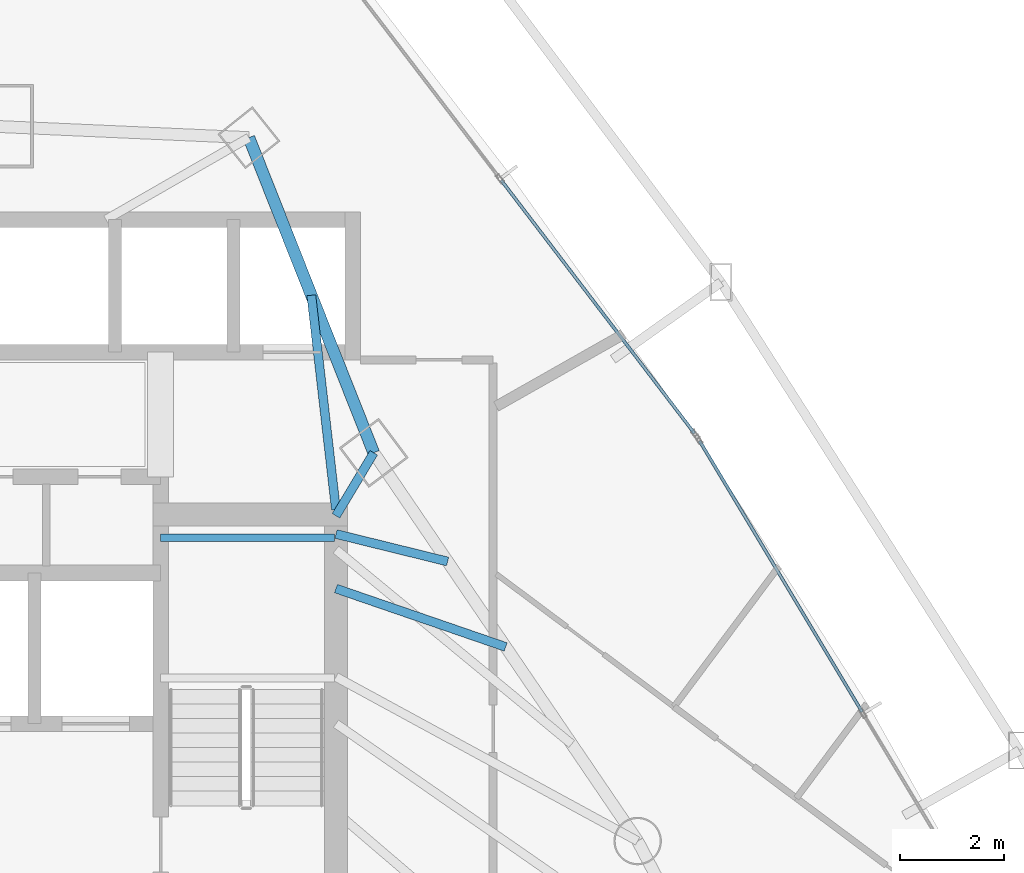
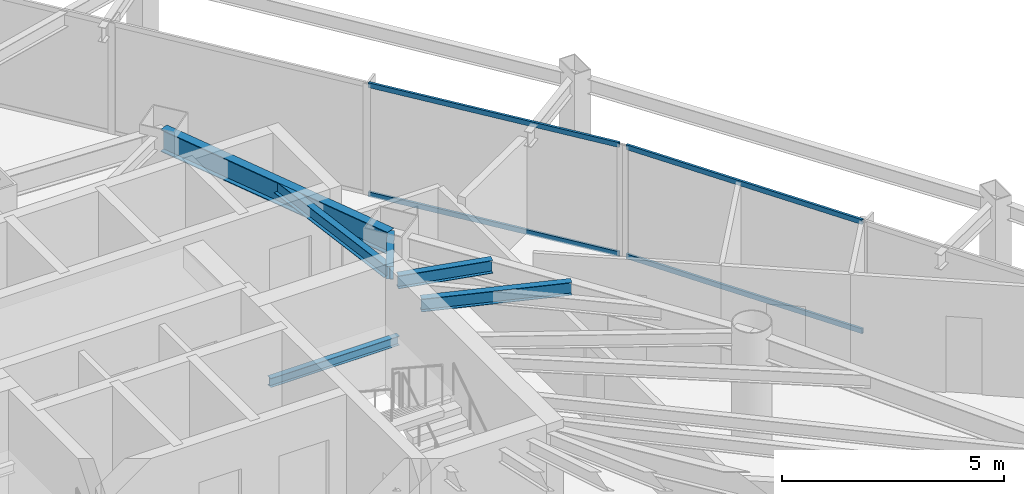
# One storey, part 25 of 34: 6 beams, 4 members, 2 elements without a shape of their own.
"""IFC4 building model written with IfcOpenShell, lengths in metres."""

from ifc_helpers import new_model, si_unit, direction, frame, origin, origin_2d, place, context, subcontext, project, spatial, hollow_rectangle, i_section, extrude, material, layer, layer_set, material_profile, profile_set, type_object, element, aggregate, save


model = new_model("IFC4")

# Units and contexts
model_context = context("Model", 3, precision=1e-05, world=origin(), true_north=direction((0.0, 1.0)))
body_context = subcontext(model_context, "Body", "Model", "MODEL_VIEW")
ifc_project = project(units=[si_unit("LENGTHUNIT", "METRE"), si_unit("AREAUNIT", "SQUARE_METRE"), si_unit("VOLUMEUNIT", "CUBIC_METRE"), si_unit("PLANEANGLEUNIT", "RADIAN"), si_unit("MASSUNIT", "GRAM", prefix="KILO")], contexts=[model_context])

# Site, building, storey
site_placement = place(None, origin())
site = spatial("IfcSite", under=ifc_project, at=site_placement, CompositionType="ELEMENT")
building_placement = place(site_placement, origin())
building = spatial("IfcBuilding", under=site, at=building_placement, Name="Orvanel Arch Residences", CompositionType="ELEMENT")
storey_placement = place(building_placement, frame((0.0, 0.0, 67.550048828125)))
storey = spatial("IfcBuildingStorey", under=building, at=storey_placement, Name="L18", CompositionType="ELEMENT", Elevation=67.550048828125)

# Beams
ifc_material_1 = material(Name="Structural steel AS/NZS 3679.1 Grade 300 (300 MPa)", Category="steel")
ifc_material_profile_1 = material_profile(ifc_material_1, i_section(OverallWidth=0.14599609375, OverallDepth=0.251953125, WebThickness=0.006103515625, FlangeThickness=0.008544921875, at=origin_2d()), Name="250UB31.4")
ifc_profile_set_1 = profile_set([ifc_material_profile_1], Name="Structural steel AS/NZS 3679.1 Grade 300 (300 MPa)")
beam_type_1 = type_object("IfcBeamType", Name="BJ-250UB", PredefinedType="JOIST", material=ifc_profile_set_1)
beam_1_placement = place(storey_placement, frame((36.25, 33.47998046875, 1.323974609375), z_axis=(1.0, 0.0, 0.0), x_axis=(0.0, 1.0, 0.0)))
element("IfcBeam", 1, at=beam_1_placement, inside=storey, type_object=beam_type_1, Name="L18 ST-2 Half-Landing Support Beam 1.2", PredefinedType="JOIST", context=body_context, shape_type="SweptSolid", body=[
    extrude(i_section(OverallWidth=0.14599609375, OverallDepth=0.251953125, WebThickness=0.006103515625, FlangeThickness=0.008544921875, at=origin_2d()), origin(), (0.0, 0.0, 1.0), 3.35009765625),
])
ifc_material_profile_2 = material_profile(ifc_material_1, i_section(OverallWidth=0.1708984375, OverallDepth=0.35595703125, WebThickness=0.00732421875, FlangeThickness=0.011474609375, at=origin_2d()), Name="360UB50.7")
ifc_profile_set_2 = profile_set([ifc_material_profile_2], Name="Structural steel AS/NZS 3679.1 Grade 300 (300 MPa)")
beam_type_2 = type_object("IfcBeamType", Name="BJ-360UB", PredefinedType="JOIST", material=ifc_profile_set_2)
beam_2_placement = place(storey_placement, frame((39.625, 33.89990234375, 2.8818359375), z_axis=(0.514064138778, 0.857751748015, 0.0), x_axis=(-0.857751748015, 0.514064138778, 0.0)))
element("IfcBeam", 2, at=beam_2_placement, inside=storey, type_object=beam_type_2, Name="L18 NNE Wing Floor Joist", PredefinedType="JOIST", context=body_context, shape_type="SweptSolid", body=[
    extrude(i_section(OverallWidth=0.1708984375, OverallDepth=0.35595703125, WebThickness=0.00732421875, FlangeThickness=0.011474609375, at=origin_2d()), origin(), (0.0, 0.0, 1.0), 1.414306640625),
])
beam_3_placement = place(storey_placement, frame((39.625, 34.02001953125, 2.8818359375), z_axis=(-0.114186670431, 0.993459311847, 0.0), x_axis=(-0.993459311847, -0.114186670431, 0.0)))
element("IfcBeam", 3, at=beam_3_placement, inside=storey, type_object=beam_type_2, Name="L18 NNE2 Wing Floor Joist", PredefinedType="JOIST", context=body_context, shape_type="SweptSolid", body=[
    extrude(i_section(OverallWidth=0.1708984375, OverallDepth=0.35595703125, WebThickness=0.00732421875, FlangeThickness=0.011474609375, at=origin_2d()), origin(), (0.0, 0.0, 1.0), 4.152099609375),
])
beam_4_placement = place(storey_placement, frame((39.625, 32.5, 2.8818359375), z_axis=(0.945658073701, -0.325162740247, 0.0), x_axis=(0.325162740247, 0.945658073701, 0.0)))
element("IfcBeam", 4, at=beam_4_placement, inside=storey, type_object=beam_type_2, Name="L18 ENE Wing Floor Joist", PredefinedType="JOIST", context=body_context, shape_type="SweptSolid", body=[
    extrude(i_section(OverallWidth=0.1708984375, OverallDepth=0.35595703125, WebThickness=0.00732421875, FlangeThickness=0.011474609375, at=origin_2d()), origin(), (0.0, 0.0, 1.0), 3.453857421875),
])
beam_5_placement = place(storey_placement, frame((39.625, 33.550048828125, 2.8818359375), z_axis=(0.971005818547, -0.239055851942, 0.0), x_axis=(0.239055851942, 0.971005818547, 0.0)))
element("IfcBeam", 5, at=beam_5_placement, inside=storey, type_object=beam_type_2, Name="L18 JADD4 Wing Floor Joist", PredefinedType="JOIST", context=body_context, shape_type="SweptSolid", body=[
    extrude(i_section(OverallWidth=0.1708984375, OverallDepth=0.35595703125, WebThickness=0.00732421875, FlangeThickness=0.011474609375, at=origin_2d()), origin(), (0.0, 0.0, 1.0), 2.213134765625),
])
ifc_material_profile_3 = material_profile(ifc_material_1, i_section(OverallWidth=0.22900390625, OverallDepth=0.612060546875, WebThickness=0.011962890625, FlangeThickness=0.01953125, at=origin_2d()), Name="610UB125")
ifc_profile_set_3 = profile_set([ifc_material_profile_3], Name="Structural steel AS/NZS 3679.1 Grade 300 (300 MPa)")
beam_type_3 = type_object("IfcBeamType", Name="SP-610UB", PredefinedType="SPANDREL", material=ifc_profile_set_3)
beam_6_placement = place(storey_placement, frame((40.35205078125, 35.113037109375, 2.75390625), z_axis=(-0.368233143579, 0.929733484376, 0.0), x_axis=(-0.929733484376, -0.368233143579, 0.0)))
element("IfcBeam", 6, at=beam_6_placement, inside=storey, type_object=beam_type_3, Name="L18 Perimeter Spandrel Beam 15", PredefinedType="SPANDREL", context=body_context, shape_type="SweptSolid", body=[
    extrude(i_section(OverallWidth=0.22900390625, OverallDepth=0.612060546875, WebThickness=0.011962890625, FlangeThickness=0.01953125, at=origin_2d()), origin(), (0.0, 0.0, 1.0), 6.523193359375),
])

# Curtain wall, members
ifc_material_2 = material(Name="Bronze-anodised aluminium AA6063-T6", Category="aluminium")
ifc_layer = layer(ifc_material_2, 0.179931640625)
ifc_layer_set = layer_set([ifc_layer], Name="Bronze-anodised aluminium AA6063-T6")
curtain_wall_type = type_object("IfcCurtainWallType", Name="CW2-LOW-SYS", PredefinedType="NOTDEFINED", material=ifc_layer_set)
curtain_wall_1_placement = place(storey_placement, origin())
curtain_wall_1 = element("IfcCurtainWall", 7, at=curtain_wall_1_placement, inside=storey, type_object=curtain_wall_type, Name="L18 CW2-LOW-SYS Unitised Curtain Wall", PredefinedType="NOTDEFINED")
ifc_material_profile_4 = material_profile(ifc_material_2, hollow_rectangle(XDim=0.06005859375, YDim=0.135009765625, WallThickness=0.00390625, at=origin_2d()), Name="ALU135x60x4")
ifc_profile_set_4 = profile_set([ifc_material_profile_4], Name="Bronze-anodised aluminium AA6063-T6")
member_type = type_object("IfcMemberType", Name="TRN-135x60", PredefinedType="USERDEFINED", material=ifc_profile_set_4)
member_1_placement = place(storey_placement, frame((49.75, 30.126953125, 0.030029296875), z_axis=(-0.514383536147, 0.857560247295, 0.0), x_axis=(-0.857560247295, -0.514383536147, 0.0)))
member_1 = element("IfcMember", 8, at=member_1_placement, type_object=member_type, Name="CW-S2 transom 2.1", ObjectType="TRANSOM", PredefinedType="USERDEFINED", context=body_context, shape_type="SweptSolid", body=[
    extrude(hollow_rectangle(XDim=0.06005859375, YDim=0.135009765625, WallThickness=0.00390625, at=origin_2d()), origin(), (0.0, 0.0, 1.0), 6.0791015625),
])
member_2_placement = place(storey_placement, frame((49.75, 30.126953125, 3.030029296875), z_axis=(-0.514383536147, 0.857560247295, 0.0), x_axis=(-0.857560247295, -0.514383536147, 0.0)))
member_2 = element("IfcMember", 9, at=member_2_placement, type_object=member_type, Name="CW-S2 transom 2.2", ObjectType="TRANSOM", PredefinedType="USERDEFINED", context=body_context, shape_type="SweptSolid", body=[
    extrude(hollow_rectangle(XDim=0.06005859375, YDim=0.135009765625, WallThickness=0.00390625, at=origin_2d()), origin(), (0.0, 0.0, 1.0), 6.0791015625),
])
aggregate(curtain_wall_1, [member_1, member_2])

curtain_wall_2_placement = place(storey_placement, origin())
curtain_wall_2 = element("IfcCurtainWall", 10, at=curtain_wall_2_placement, inside=storey, type_object=curtain_wall_type, Name="L18 CW2-LOW-SYS Unitised Curtain Wall", PredefinedType="NOTDEFINED")
member_3_placement = place(storey_placement, frame((46.5224609375, 35.488525390625, 0.030029296875), z_axis=(-0.606733650024, 0.794905200593, 0.0), x_axis=(-0.794905200593, -0.606733650024, 0.0)))
member_3 = element("IfcMember", 11, at=member_3_placement, type_object=member_type, Name="CW-S2 transom 1.1", ObjectType="TRANSOM", PredefinedType="USERDEFINED", context=body_context, shape_type="SweptSolid", body=[
    extrude(hollow_rectangle(XDim=0.06005859375, YDim=0.135009765625, WallThickness=0.00390625, at=origin_2d()), origin(), (0.0, 0.0, 1.0), 6.123779296875),
])
member_4_placement = place(storey_placement, frame((46.5224609375, 35.488525390625, 3.030029296875), z_axis=(-0.606733650024, 0.794905200593, 0.0), x_axis=(-0.794905200593, -0.606733650024, 0.0)))
member_4 = element("IfcMember", 12, at=member_4_placement, type_object=member_type, Name="CW-S2 transom 1.2", ObjectType="TRANSOM", PredefinedType="USERDEFINED", context=body_context, shape_type="SweptSolid", body=[
    extrude(hollow_rectangle(XDim=0.06005859375, YDim=0.135009765625, WallThickness=0.00390625, at=origin_2d()), origin(), (0.0, 0.0, 1.0), 6.123779296875),
])
aggregate(curtain_wall_2, [member_3, member_4])

save(model, "model.ifc")
